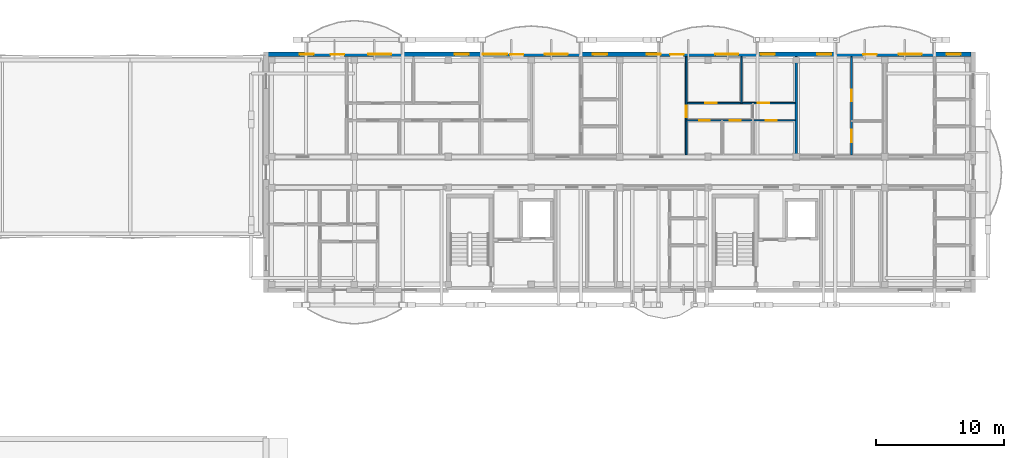
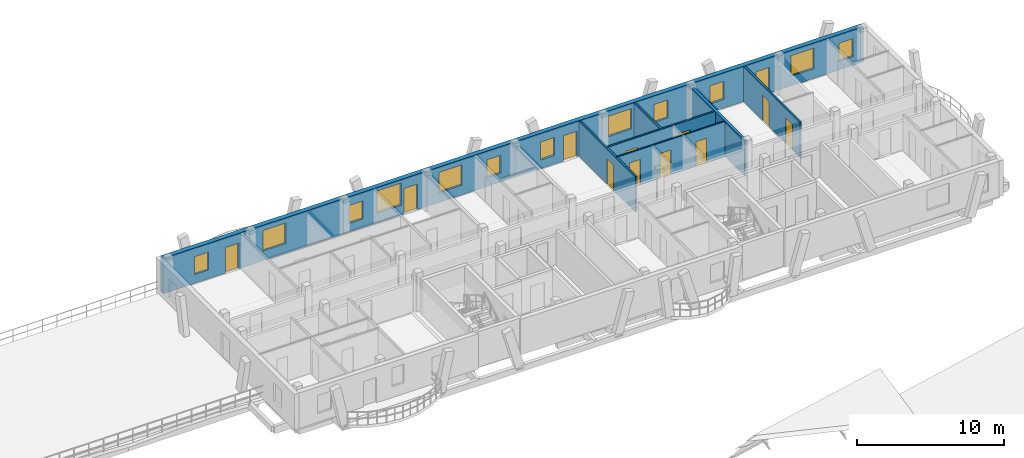
# One storey, part 84 of 109: 12 doors, 12 windows, 7 walls, 24 openings.
"""IFC4 building model written with IfcOpenShell, lengths in metres."""

import ifcopenshell
import ifcopenshell.guid

model = None  # the IFC model being written
_history = None  # IfcOwnerHistory: only IFC2X3 demands one
_inside = {}  # id of a spatial element -> (the spatial element, [elements in it])
_under = {}  # id of a project, library or spatial element -> (it, [spatial elements below it])
_declared = {}  # id of a project -> (the project, [libraries it declares])
_typed = {}  # id of a type object -> (the type object, [elements of that type])
_made_of = {}  # id of a material, layer set ... -> (it, [elements and type objects made of it])


def new_model(schema):
    """Start an empty IFC model of exactly this schema.

    Asked for "IFC4X3", IfcOpenShell would pick the latest addendum, in which some entities
    have other attributes; the version numbers below select the first issue.
    IFC2X3 requires an IfcOwnerHistory on every rooted entity: one is made here for all.
    """
    global model, _history
    if schema == "IFC4X3":
        model = ifcopenshell.file(schema_version=(4, 3, 0, 0))
    else:
        model = ifcopenshell.file(schema=schema)
    _inside.clear()
    _under.clear()
    _declared.clear()
    _typed.clear()
    _made_of.clear()
    _history = None
    if model.schema == "IFC2X3":
        org = make("IfcOrganization", Name="unknown")
        user = make(
            "IfcPersonAndOrganization",
            ThePerson=make("IfcPerson", FamilyName="unknown"),
            TheOrganization=org,
        )
        app = make(
            "IfcApplication",
            ApplicationDeveloper=org,
            Version="unknown",
            ApplicationFullName="unknown",
            ApplicationIdentifier="unknown",
        )
        _history = make(
            "IfcOwnerHistory",
            OwningUser=user,
            OwningApplication=app,
            ChangeAction="ADDED",
            CreationDate=0,
        )
    return model


def make(cls, **values):
    """One entity of the class cls with the attributes given. An attribute that is None is left unset."""
    return model.create_entity(
        cls, **{name: value for name, value in values.items() if value is not None}
    )


def rooted(cls, **values):
    """An entity with a GlobalId (a new one), such as an element, a storey or a relation."""
    return make(cls, GlobalId=ifcopenshell.guid.new(), OwnerHistory=_history, **values)


def si_unit(unit_type, name, prefix=None):
    """IfcSIUnit, for example si_unit("LENGTHUNIT", "METRE", prefix="MILLI")."""
    return make("IfcSIUnit", UnitType=unit_type, Prefix=prefix, Name=name)


def assignment(units):
    """IfcUnitAssignment: the units of a project."""
    return None if units is None else make("IfcUnitAssignment", Units=units)


def point(xyz):
    """IfcCartesianPoint."""
    return None if xyz is None else make("IfcCartesianPoint", Coordinates=xyz)


def direction(xyz):
    """IfcDirection."""
    return None if xyz is None else make("IfcDirection", DirectionRatios=xyz)


def frame(location, z_axis=None, x_axis=None):
    """IfcAxis2Placement3D, a coordinate frame: its origin and axes. An axis left out is left unset."""
    return make(
        "IfcAxis2Placement3D",
        Location=point(location),
        Axis=direction(z_axis),
        RefDirection=direction(x_axis),
    )


def frame_2d(location, x_axis=None):
    """IfcAxis2Placement2D, a coordinate frame in the plane: its origin and x axis."""
    return make(
        "IfcAxis2Placement2D", Location=point(location), RefDirection=direction(x_axis)
    )


def origin():
    """The frame at (0, 0, 0) with its axes left unset."""
    return frame((0.0, 0.0, 0.0))


def origin_with_axes():
    """The frame at (0, 0, 0) with the z axis (0, 0, 1) and the x axis (1, 0, 0) written out."""
    return frame((0.0, 0.0, 0.0), z_axis=(0.0, 0.0, 1.0), x_axis=(1.0, 0.0, 0.0))


def place(relative_to, where):
    """IfcLocalPlacement: puts the frame where relative to a parent placement (None: the world)."""
    return make(
        "IfcLocalPlacement", PlacementRelTo=relative_to, RelativePlacement=where
    )


def context(
    kind, dimensions, precision=None, world=None, true_north=None, identifier=None
):
    """IfcGeometricRepresentationContext, for example the 3D "Model" context."""
    return make(
        "IfcGeometricRepresentationContext",
        ContextIdentifier=identifier,
        ContextType=kind,
        CoordinateSpaceDimension=dimensions,
        Precision=precision,
        WorldCoordinateSystem=world,
        TrueNorth=true_north,
    )


def subcontext(parent, identifier, kind, view, scale=None):
    """IfcGeometricRepresentationSubContext, for example "Body" below "Model"."""
    return make(
        "IfcGeometricRepresentationSubContext",
        ContextIdentifier=identifier,
        ContextType=kind,
        ParentContext=parent,
        TargetScale=scale,
        TargetView=view,
    )


def project(units=None, contexts=None):
    """IfcProject with its units and contexts."""
    return rooted(
        "IfcProject",
        Name="project",
        RepresentationContexts=contexts,
        UnitsInContext=assignment(units),
    )


def spatial(cls, under=None, at=None, **own):
    """A site, building, storey or space (cls), placed at a placement, below another one or the project."""
    s = rooted(cls, ObjectPlacement=at, **own)
    if under is not None:
        _under.setdefault(under.id(), (under, []))[1].append(s)
    return s


def profile(cls, at=None, kind="AREA", **sizes):
    """A parametric profile (cls). Its sizes go by their IFC names, for example OverallWidth=200.0."""
    return make(cls, ProfileType=kind, Position=at, **sizes)


def rectangle(**sizes):
    """IfcRectangleProfileDef."""
    return profile("IfcRectangleProfileDef", **sizes)


def extrude(swept, where, along, depth):
    """IfcExtrudedAreaSolid: the profile swept, set in the frame where, extruded along a direction by depth."""
    return make(
        "IfcExtrudedAreaSolid",
        SweptArea=swept,
        Position=where,
        ExtrudedDirection=direction(along),
        Depth=depth,
    )


def shape(context_of_items, identifier, shape_type, items):
    """IfcShapeRepresentation: the items that make up one representation, for example the "Body"."""
    return make(
        "IfcShapeRepresentation",
        ContextOfItems=context_of_items,
        RepresentationIdentifier=identifier,
        RepresentationType=shape_type,
        Items=items,
    )


def material(Name=None, Category=None):
    """IfcMaterial."""
    return make("IfcMaterial", Name=Name, Category=Category)


def layer(
    of_material, thickness, ventilated=None, Name=None, Category=None, Priority=None
):
    """IfcMaterialLayer: one layer of a wall or slab, of a material (None: an air gap)."""
    return make(
        "IfcMaterialLayer",
        Material=of_material,
        LayerThickness=thickness,
        IsVentilated=ventilated,
        Name=Name,
        Category=Category,
        Priority=Priority,
    )


def layer_set(layers, Name=None):
    """IfcMaterialLayerSet."""
    return make("IfcMaterialLayerSet", MaterialLayers=layers, LayerSetName=Name)


def made_of(thing, what):
    """Note that an element or type object is made of a material, layer set ...; save() writes the relation."""
    if what is not None:
        _made_of.setdefault(what.id(), (what, []))[1].append(thing)
    return thing


def type_object(cls, material=None, **own):
    """A type object (cls), such as IfcWallType, which elements share."""
    return made_of(rooted(cls, **own), material)


def element(
    cls,
    number,
    at=None,
    inside=None,
    cuts=None,
    type_object=None,
    material=None,
    context=None,
    identifier="Body",
    shape_type=None,
    held_by="IfcProductDefinitionShape",
    body=None,
    shapes=None,
    **own,
):
    """One element of the class cls, such as IfcWall. Its Tag is "e" and its number.

    at: its placement. inside: the storey or other place that contains it. cuts: it is an
    opening in that element (IfcRelVoidsElement). A single representation is given by context,
    identifier, shape_type and body (its items); several are given by shapes. held_by: the class
    of the entity that holds the representations. save() writes the other relations.
    """
    e = rooted(cls, Tag="e%d" % number, ObjectPlacement=at, **own)
    if body is not None:
        shapes = [shape(context, identifier, shape_type, body)]
    if shapes is not None:
        e.Representation = make(held_by, Representations=shapes)
    if inside is not None:
        _inside.setdefault(inside.id(), (inside, []))[1].append(e)
    if cuts is not None:
        rooted(
            "IfcRelVoidsElement", RelatingBuildingElement=cuts, RelatedOpeningElement=e
        )
    if type_object is not None:
        _typed.setdefault(type_object.id(), (type_object, []))[1].append(e)
    return made_of(e, material)


def fill(opening, filler):
    """IfcRelFillsElement: the door or window that sits in an opening."""
    return rooted(
        "IfcRelFillsElement",
        RelatingOpeningElement=opening,
        RelatedBuildingElement=filler,
    )


def aggregate(whole, parts):
    """IfcRelAggregates: a whole, such as a stair, and the parts it consists of."""
    return rooted("IfcRelAggregates", RelatingObject=whole, RelatedObjects=parts)


def save(model, path):
    """Write the relations noted so far, then the file.

    IfcRelAggregates (storeys below a building ...), IfcRelContainedInSpatialStructure (elements
    in a storey), IfcRelDefinesByType, IfcRelAssociatesMaterial and IfcRelDeclares: one each for
    every whole, place, type object, material and project.
    """
    for whole, parts in _under.values():
        aggregate(whole, parts)
    for where, things in _inside.values():
        rooted(
            "IfcRelContainedInSpatialStructure",
            RelatedElements=things,
            RelatingStructure=where,
        )
    for kind, things in _typed.values():
        rooted("IfcRelDefinesByType", RelatedObjects=things, RelatingType=kind)
    for what, things in _made_of.values():
        rooted("IfcRelAssociatesMaterial", RelatedObjects=things, RelatingMaterial=what)
    for by, libraries in _declared.values():
        rooted("IfcRelDeclares", RelatingContext=by, RelatedDefinitions=libraries)
    model.write(path)


model = new_model("IFC4")

# Units and contexts
model_context = context("Model", 3, precision=1e-05, world=origin(), true_north=direction((0.0, 1.0)))
body_context = subcontext(model_context, "Body", "Model", "MODEL_VIEW")
ifc_project = project(units=[si_unit("LENGTHUNIT", "METRE"), si_unit("AREAUNIT", "SQUARE_METRE"), si_unit("VOLUMEUNIT", "CUBIC_METRE"), si_unit("PLANEANGLEUNIT", "RADIAN"), si_unit("MASSUNIT", "GRAM", prefix="KILO")], contexts=[model_context])

# Site, building, storey
site_placement = place(None, origin())
site = spatial("IfcSite", under=ifc_project, at=site_placement, CompositionType="ELEMENT")
building_placement = place(site_placement, origin())
building = spatial("IfcBuilding", under=site, at=building_placement, Name="Zavelmont Quarter", CompositionType="ELEMENT")
storey_placement = place(building_placement, frame((0.0, 0.0, 8.0)))
storey = spatial("IfcBuildingStorey", under=building, at=storey_placement, Name="L02", CompositionType="ELEMENT", Elevation=8.0)

# Wall, openings, doors, windows
ifc_material_1 = material(Name="Natural Belgian limestone", Category="masonry")
ifc_layer_1 = layer(ifc_material_1, 0.360107421875)
ifc_layer_set_1 = layer_set([ifc_layer_1], Name="Natural Belgian limestone")
wall_type_1 = type_object("IfcWallType", Name="EW02", PredefinedType="STANDARD", material=ifc_layer_set_1)
wall_1_placement = place(storey_placement, frame((112.969970703125, 116.0, 0.0), z_axis=(0.0, 0.0, 1.0), x_axis=(1.0, 0.0, 0.0)))
wall_1 = element("IfcWall", 1, at=wall_1_placement, inside=storey, type_object=wall_type_1, Name="L02 exterior limestone wall EW02", PredefinedType="STANDARD", context=body_context, shape_type="SweptSolid", body=[
    extrude(rectangle(XDim=54.860107421875, YDim=0.360107421875, at=frame_2d((27.43017578125, 0.0))), origin(), (0.0, 0.0, 1.0), 2.93994140625),
])
opening_1_placement = place(wall_1_placement, frame((4.8759765625, 0.0, 0.0)))
opening_1 = element("IfcOpeningElement", 2, at=opening_1_placement, cuts=wall_1, Name="Opening DR04A", PredefinedType="OPENING", context=body_context, shape_type="SweptSolid", body=[
    extrude(rectangle(XDim=1.050048828125, YDim=2.1201171875, at=frame_2d((0.52490234375, 1.06005859375))), frame((0.0, 0.19189453125, 0.0), z_axis=(0.0, -1.0, 0.0), x_axis=(1.0, 0.0, 0.0)), (0.0, 0.0, 1.0), 0.384033203125),
])
opening_2_placement = place(wall_1_placement, frame((18.879150390625, 0.0, 0.0)))
opening_2 = element("IfcOpeningElement", 3, at=opening_2_placement, cuts=wall_1, Name="Opening DR04A", PredefinedType="OPENING", context=body_context, shape_type="SweptSolid", body=[
    extrude(rectangle(XDim=1.050048828125, YDim=2.1201171875, at=frame_2d((0.52490234375, 1.06005859375))), frame((0.0, 0.19189453125, 0.0), z_axis=(0.0, -1.0, 0.0), x_axis=(1.0, 0.0, 0.0)), (0.0, 0.0, 1.0), 0.384033203125),
])
opening_3_placement = place(wall_1_placement, frame((31.379150390625, 0.0, 0.0)))
opening_3 = element("IfcOpeningElement", 4, at=opening_3_placement, cuts=wall_1, Name="Opening DR04A", PredefinedType="OPENING", context=body_context, shape_type="SweptSolid", body=[
    extrude(rectangle(XDim=1.050048828125, YDim=2.1201171875, at=frame_2d((0.52490234375, 1.06005859375))), frame((0.0, 0.19189453125, 0.0), z_axis=(0.0, -1.0, 0.0), x_axis=(1.0, 0.0, 0.0)), (0.0, 0.0, 1.0), 0.384033203125),
])
opening_4_placement = place(wall_1_placement, frame((46.449951171875, 0.0, 0.0)))
opening_4 = element("IfcOpeningElement", 5, at=opening_4_placement, cuts=wall_1, Name="Opening DR04A", PredefinedType="OPENING", context=body_context, shape_type="SweptSolid", body=[
    extrude(rectangle(XDim=1.050048828125, YDim=2.1201171875, at=frame_2d((0.52490234375, 1.06005859375))), frame((0.0, 0.19189453125, 0.0), z_axis=(0.0, -1.0, 0.0), x_axis=(1.0, 0.0, 0.0)), (0.0, 0.0, 1.0), 0.384033203125),
])
opening_5_placement = place(wall_1_placement, frame((2.449951171875, 0.0, 0.719970703125)))
opening_5 = element("IfcOpeningElement", 6, at=opening_5_placement, cuts=wall_1, Name="Opening WN09", PredefinedType="OPENING", context=body_context, shape_type="SweptSolid", body=[
    extrude(rectangle(XDim=1.10009765625, YDim=1.5, at=frame_2d((0.550048828125, 0.75))), frame((0.0, 0.19189453125, 0.0), z_axis=(0.0, -1.0, 0.0), x_axis=(1.0, 0.0, 0.0)), (0.0, 0.0, 1.0), 0.384033203125),
])
opening_6_placement = place(wall_1_placement, frame((7.800048828125, 0.0, 0.800048828125)))
opening_6 = element("IfcOpeningElement", 7, at=opening_6_placement, cuts=wall_1, Name="Opening WN02", PredefinedType="OPENING", context=body_context, shape_type="SweptSolid", body=[
    extrude(rectangle(XDim=1.800048828125, YDim=1.699951171875, at=frame_2d((0.89990234375, 0.85009765625))), frame((0.0, 0.19189453125, 0.0), z_axis=(0.0, -1.0, 0.0), x_axis=(1.0, 0.0, 0.0)), (0.0, 0.0, 1.0), 0.384033203125),
])
opening_7_placement = place(wall_1_placement, frame((14.550048828125, 0.0, 0.719970703125)))
opening_7 = element("IfcOpeningElement", 8, at=opening_7_placement, cuts=wall_1, Name="Opening WN09", PredefinedType="OPENING", context=body_context, shape_type="SweptSolid", body=[
    extrude(rectangle(XDim=1.10009765625, YDim=1.5, at=frame_2d((0.550048828125, 0.75))), frame((0.0, 0.19189453125, 0.0), z_axis=(0.0, -1.0, 0.0), x_axis=(1.0, 0.0, 0.0)), (0.0, 0.0, 1.0), 0.384033203125),
])
opening_8_placement = place(wall_1_placement, frame((16.75, 0.0, 0.800048828125)))
opening_8 = element("IfcOpeningElement", 9, at=opening_8_placement, cuts=wall_1, Name="Opening WN20", PredefinedType="OPENING", context=body_context, shape_type="SweptSolid", body=[
    extrude(rectangle(XDim=1.89990234375, YDim=1.85009765625, at=frame_2d((0.949951171875, 0.925048828125))), frame((0.0, 0.19189453125, 0.0), z_axis=(0.0, -1.0, 0.0), x_axis=(1.0, 0.0, 0.0)), (0.0, 0.0, 1.0), 0.384033203125),
])
opening_9_placement = place(wall_1_placement, frame((21.60009765625, 0.0, 0.800048828125)))
opening_9 = element("IfcOpeningElement", 10, at=opening_9_placement, cuts=wall_1, Name="Opening WN02", PredefinedType="OPENING", context=body_context, shape_type="SweptSolid", body=[
    extrude(rectangle(XDim=1.800048828125, YDim=1.699951171875, at=frame_2d((0.89990234375, 0.85009765625))), frame((0.0, 0.19189453125, 0.0), z_axis=(0.0, -1.0, 0.0), x_axis=(1.0, 0.0, 0.0)), (0.0, 0.0, 1.0), 0.384033203125),
])
opening_10_placement = place(wall_1_placement, frame((25.35009765625, 0.0, 0.719970703125)))
opening_10 = element("IfcOpeningElement", 11, at=opening_10_placement, cuts=wall_1, Name="Opening WN09", PredefinedType="OPENING", context=body_context, shape_type="SweptSolid", body=[
    extrude(rectangle(XDim=1.10009765625, YDim=1.5, at=frame_2d((0.550048828125, 0.75))), frame((0.0, 0.19189453125, 0.0), z_axis=(0.0, -1.0, 0.0), x_axis=(1.0, 0.0, 0.0)), (0.0, 0.0, 1.0), 0.384033203125),
])
opening_11_placement = place(wall_1_placement, frame((29.550048828125, 0.0, 0.719970703125)))
opening_11 = element("IfcOpeningElement", 12, at=opening_11_placement, cuts=wall_1, Name="Opening WN09", PredefinedType="OPENING", context=body_context, shape_type="SweptSolid", body=[
    extrude(rectangle(XDim=1.10009765625, YDim=1.5, at=frame_2d((0.550048828125, 0.75))), frame((0.0, 0.19189453125, 0.0), z_axis=(0.0, -1.0, 0.0), x_axis=(1.0, 0.0, 0.0)), (0.0, 0.0, 1.0), 0.384033203125),
])
opening_12_placement = place(wall_1_placement, frame((34.89990234375, 0.0, 0.800048828125)))
opening_12 = element("IfcOpeningElement", 13, at=opening_12_placement, cuts=wall_1, Name="Opening WN02", PredefinedType="OPENING", context=body_context, shape_type="SweptSolid", body=[
    extrude(rectangle(XDim=1.800048828125, YDim=1.699951171875, at=frame_2d((0.89990234375, 0.85009765625))), frame((0.0, 0.19189453125, 0.0), z_axis=(0.0, -1.0, 0.0), x_axis=(1.0, 0.0, 0.0)), (0.0, 0.0, 1.0), 0.384033203125),
])
opening_13_placement = place(wall_1_placement, frame((38.449951171875, 0.0, 0.719970703125)))
opening_13 = element("IfcOpeningElement", 14, at=opening_13_placement, cuts=wall_1, Name="Opening WN09", PredefinedType="OPENING", context=body_context, shape_type="SweptSolid", body=[
    extrude(rectangle(XDim=1.10009765625, YDim=1.5, at=frame_2d((0.550048828125, 0.75))), frame((0.0, 0.19189453125, 0.0), z_axis=(0.0, -1.0, 0.0), x_axis=(1.0, 0.0, 0.0)), (0.0, 0.0, 1.0), 0.384033203125),
])
opening_14_placement = place(wall_1_placement, frame((42.85009765625, 0.0, 0.719970703125)))
opening_14 = element("IfcOpeningElement", 15, at=opening_14_placement, cuts=wall_1, Name="Opening WN09", PredefinedType="OPENING", context=body_context, shape_type="SweptSolid", body=[
    extrude(rectangle(XDim=1.10009765625, YDim=1.5, at=frame_2d((0.550048828125, 0.75))), frame((0.0, 0.19189453125, 0.0), z_axis=(0.0, -1.0, 0.0), x_axis=(1.0, 0.0, 0.0)), (0.0, 0.0, 1.0), 0.384033203125),
])
opening_15_placement = place(wall_1_placement, frame((49.199951171875, 0.0, 0.800048828125)))
opening_15 = element("IfcOpeningElement", 16, at=opening_15_placement, cuts=wall_1, Name="Opening WN02", PredefinedType="OPENING", context=body_context, shape_type="SweptSolid", body=[
    extrude(rectangle(XDim=1.800048828125, YDim=1.699951171875, at=frame_2d((0.89990234375, 0.85009765625))), frame((0.0, 0.19189453125, 0.0), z_axis=(0.0, -1.0, 0.0), x_axis=(1.0, 0.0, 0.0)), (0.0, 0.0, 1.0), 0.384033203125),
])
opening_16_placement = place(wall_1_placement, frame((52.949951171875, 0.0, 0.719970703125)))
opening_16 = element("IfcOpeningElement", 17, at=opening_16_placement, cuts=wall_1, Name="Opening WN09", PredefinedType="OPENING", context=body_context, shape_type="SweptSolid", body=[
    extrude(rectangle(XDim=1.10009765625, YDim=1.5, at=frame_2d((0.550048828125, 0.75))), frame((0.0, 0.19189453125, 0.0), z_axis=(0.0, -1.0, 0.0), x_axis=(1.0, 0.0, 0.0)), (0.0, 0.0, 1.0), 0.384033203125),
])
ifc_material_2 = material(Name="Thermally broken aluminium and double safety glass", Category="aluminium")
door_type_1 = type_object("IfcDoorType", Name="DR04A", OperationType="NOTDEFINED", PredefinedType="DOOR", material=ifc_material_2)
door_1_placement = place(opening_1_placement, frame((1.050048828125, 0.0, 0.0), z_axis=(0.0, 0.0, 1.0), x_axis=(-1.0, 0.0, 0.0)))
door_1 = element("IfcDoor", 18, at=door_1_placement, inside=storey, type_object=door_type_1, Name="Block C L02 glazed balcony door", OperationType="SINGLE_SWING_LEFT", OverallHeight=2.1201171875, OverallWidth=1.050048828125, PredefinedType="DOOR", context=body_context, shape_type="SweptSolid", body=[
    extrude(rectangle(XDim=1.050048828125, YDim=2.1201171875, at=frame_2d((0.52490234375, 1.06005859375))), frame((0.0, 0.02490234375, 0.0), z_axis=(0.0, -1.0, 0.0), x_axis=(1.0, 0.0, 0.0)), (0.0, 0.0, 1.0), 0.050048828125),
])
fill(opening_1, door_1)
door_2_placement = place(opening_2_placement, frame((1.050048828125, 0.0, 0.0), z_axis=(0.0, 0.0, 1.0), x_axis=(-1.0, 0.0, 0.0)))
door_2 = element("IfcDoor", 19, at=door_2_placement, inside=storey, type_object=door_type_1, Name="Block C L02 glazed balcony door", OperationType="SINGLE_SWING_LEFT", OverallHeight=2.1201171875, OverallWidth=1.050048828125, PredefinedType="DOOR", context=body_context, shape_type="SweptSolid", body=[
    extrude(rectangle(XDim=1.050048828125, YDim=2.1201171875, at=frame_2d((0.52490234375, 1.06005859375))), frame((0.0, 0.02490234375, 0.0), z_axis=(0.0, -1.0, 0.0), x_axis=(1.0, 0.0, 0.0)), (0.0, 0.0, 1.0), 0.050048828125),
])
fill(opening_2, door_2)
door_3_placement = place(opening_3_placement, frame((1.050048828125, 0.0, 0.0), z_axis=(0.0, 0.0, 1.0), x_axis=(-1.0, 0.0, 0.0)))
door_3 = element("IfcDoor", 20, at=door_3_placement, inside=storey, type_object=door_type_1, Name="Block C L02 glazed balcony door", OperationType="SINGLE_SWING_LEFT", OverallHeight=2.1201171875, OverallWidth=1.050048828125, PredefinedType="DOOR", context=body_context, shape_type="SweptSolid", body=[
    extrude(rectangle(XDim=1.050048828125, YDim=2.1201171875, at=frame_2d((0.52490234375, 1.06005859375))), frame((0.0, 0.02490234375, 0.0), z_axis=(0.0, -1.0, 0.0), x_axis=(1.0, 0.0, 0.0)), (0.0, 0.0, 1.0), 0.050048828125),
])
fill(opening_3, door_3)
door_4_placement = place(opening_4_placement, frame((1.050048828125, 0.0, 0.0), z_axis=(0.0, 0.0, 1.0), x_axis=(-1.0, 0.0, 0.0)))
door_4 = element("IfcDoor", 21, at=door_4_placement, inside=storey, type_object=door_type_1, Name="Block C L02 glazed balcony door", OperationType="SINGLE_SWING_LEFT", OverallHeight=2.1201171875, OverallWidth=1.050048828125, PredefinedType="DOOR", context=body_context, shape_type="SweptSolid", body=[
    extrude(rectangle(XDim=1.050048828125, YDim=2.1201171875, at=frame_2d((0.52490234375, 1.06005859375))), frame((0.0, 0.02490234375, 0.0), z_axis=(0.0, -1.0, 0.0), x_axis=(1.0, 0.0, 0.0)), (0.0, 0.0, 1.0), 0.050048828125),
])
fill(opening_4, door_4)
ifc_material_3 = material(Name="Double low-E insulated glazing in thermally broken aluminium frame", Category="aluminium")
window_type_1 = type_object("IfcWindowType", Name="WN02", PartitioningType="SINGLE_PANEL", PredefinedType="WINDOW", material=ifc_material_3)
window_1_placement = place(opening_6_placement, origin_with_axes())
window_1 = element("IfcWindow", 22, at=window_1_placement, inside=storey, type_object=window_type_1, Name="L02 window WN02", OverallHeight=1.699951171875, OverallWidth=1.800048828125, PartitioningType="SINGLE_PANEL", PredefinedType="WINDOW", context=body_context, shape_type="SweptSolid", body=[
    extrude(rectangle(XDim=1.800048828125, YDim=1.699951171875, at=frame_2d((0.89990234375, 0.85009765625))), frame((0.0, 0.030029296875, 0.0), z_axis=(0.0, -1.0, 0.0), x_axis=(1.0, 0.0, 0.0)), (0.0, 0.0, 1.0), 0.06005859375),
])
fill(opening_6, window_1)
window_2_placement = place(opening_9_placement, origin_with_axes())
window_2 = element("IfcWindow", 23, at=window_2_placement, inside=storey, type_object=window_type_1, Name="L02 window WN02", OverallHeight=1.699951171875, OverallWidth=1.800048828125, PartitioningType="SINGLE_PANEL", PredefinedType="WINDOW", context=body_context, shape_type="SweptSolid", body=[
    extrude(rectangle(XDim=1.800048828125, YDim=1.699951171875, at=frame_2d((0.89990234375, 0.85009765625))), frame((0.0, 0.030029296875, 0.0), z_axis=(0.0, -1.0, 0.0), x_axis=(1.0, 0.0, 0.0)), (0.0, 0.0, 1.0), 0.06005859375),
])
fill(opening_9, window_2)
window_3_placement = place(opening_12_placement, origin_with_axes())
window_3 = element("IfcWindow", 24, at=window_3_placement, inside=storey, type_object=window_type_1, Name="L02 window WN02", OverallHeight=1.699951171875, OverallWidth=1.800048828125, PartitioningType="SINGLE_PANEL", PredefinedType="WINDOW", context=body_context, shape_type="SweptSolid", body=[
    extrude(rectangle(XDim=1.800048828125, YDim=1.699951171875, at=frame_2d((0.89990234375, 0.85009765625))), frame((0.0, 0.030029296875, 0.0), z_axis=(0.0, -1.0, 0.0), x_axis=(1.0, 0.0, 0.0)), (0.0, 0.0, 1.0), 0.06005859375),
])
fill(opening_12, window_3)
window_4_placement = place(opening_15_placement, origin_with_axes())
window_4 = element("IfcWindow", 25, at=window_4_placement, inside=storey, type_object=window_type_1, Name="L02 window WN02", OverallHeight=1.699951171875, OverallWidth=1.800048828125, PartitioningType="SINGLE_PANEL", PredefinedType="WINDOW", context=body_context, shape_type="SweptSolid", body=[
    extrude(rectangle(XDim=1.800048828125, YDim=1.699951171875, at=frame_2d((0.89990234375, 0.85009765625))), frame((0.0, 0.030029296875, 0.0), z_axis=(0.0, -1.0, 0.0), x_axis=(1.0, 0.0, 0.0)), (0.0, 0.0, 1.0), 0.06005859375),
])
fill(opening_15, window_4)
window_type_2 = type_object("IfcWindowType", Name="WN09", PartitioningType="SINGLE_PANEL", PredefinedType="WINDOW", material=ifc_material_3)
window_5_placement = place(opening_5_placement, origin_with_axes())
window_5 = element("IfcWindow", 26, at=window_5_placement, inside=storey, type_object=window_type_2, Name="L02 window WN09", OverallHeight=1.5, OverallWidth=1.10009765625, PartitioningType="SINGLE_PANEL", PredefinedType="WINDOW", context=body_context, shape_type="SweptSolid", body=[
    extrude(rectangle(XDim=1.10009765625, YDim=1.5, at=frame_2d((0.550048828125, 0.75))), frame((0.0, 0.030029296875, 0.0), z_axis=(0.0, -1.0, 0.0), x_axis=(1.0, 0.0, 0.0)), (0.0, 0.0, 1.0), 0.06005859375),
])
fill(opening_5, window_5)
window_6_placement = place(opening_7_placement, origin_with_axes())
window_6 = element("IfcWindow", 27, at=window_6_placement, inside=storey, type_object=window_type_2, Name="L02 window WN09", OverallHeight=1.5, OverallWidth=1.10009765625, PartitioningType="SINGLE_PANEL", PredefinedType="WINDOW", context=body_context, shape_type="SweptSolid", body=[
    extrude(rectangle(XDim=1.10009765625, YDim=1.5, at=frame_2d((0.550048828125, 0.75))), frame((0.0, 0.030029296875, 0.0), z_axis=(0.0, -1.0, 0.0), x_axis=(1.0, 0.0, 0.0)), (0.0, 0.0, 1.0), 0.06005859375),
])
fill(opening_7, window_6)
window_7_placement = place(opening_10_placement, origin_with_axes())
window_7 = element("IfcWindow", 28, at=window_7_placement, inside=storey, type_object=window_type_2, Name="L02 window WN09", OverallHeight=1.5, OverallWidth=1.10009765625, PartitioningType="SINGLE_PANEL", PredefinedType="WINDOW", context=body_context, shape_type="SweptSolid", body=[
    extrude(rectangle(XDim=1.10009765625, YDim=1.5, at=frame_2d((0.550048828125, 0.75))), frame((0.0, 0.030029296875, 0.0), z_axis=(0.0, -1.0, 0.0), x_axis=(1.0, 0.0, 0.0)), (0.0, 0.0, 1.0), 0.06005859375),
])
fill(opening_10, window_7)
window_8_placement = place(opening_11_placement, origin_with_axes())
window_8 = element("IfcWindow", 29, at=window_8_placement, inside=storey, type_object=window_type_2, Name="L02 window WN09", OverallHeight=1.5, OverallWidth=1.10009765625, PartitioningType="SINGLE_PANEL", PredefinedType="WINDOW", context=body_context, shape_type="SweptSolid", body=[
    extrude(rectangle(XDim=1.10009765625, YDim=1.5, at=frame_2d((0.550048828125, 0.75))), frame((0.0, 0.030029296875, 0.0), z_axis=(0.0, -1.0, 0.0), x_axis=(1.0, 0.0, 0.0)), (0.0, 0.0, 1.0), 0.06005859375),
])
fill(opening_11, window_8)
window_9_placement = place(opening_13_placement, origin_with_axes())
window_9 = element("IfcWindow", 30, at=window_9_placement, inside=storey, type_object=window_type_2, Name="L02 window WN09", OverallHeight=1.5, OverallWidth=1.10009765625, PartitioningType="SINGLE_PANEL", PredefinedType="WINDOW", context=body_context, shape_type="SweptSolid", body=[
    extrude(rectangle(XDim=1.10009765625, YDim=1.5, at=frame_2d((0.550048828125, 0.75))), frame((0.0, 0.030029296875, 0.0), z_axis=(0.0, -1.0, 0.0), x_axis=(1.0, 0.0, 0.0)), (0.0, 0.0, 1.0), 0.06005859375),
])
fill(opening_13, window_9)
window_10_placement = place(opening_14_placement, origin_with_axes())
window_10 = element("IfcWindow", 31, at=window_10_placement, inside=storey, type_object=window_type_2, Name="L02 window WN09", OverallHeight=1.5, OverallWidth=1.10009765625, PartitioningType="SINGLE_PANEL", PredefinedType="WINDOW", context=body_context, shape_type="SweptSolid", body=[
    extrude(rectangle(XDim=1.10009765625, YDim=1.5, at=frame_2d((0.550048828125, 0.75))), frame((0.0, 0.030029296875, 0.0), z_axis=(0.0, -1.0, 0.0), x_axis=(1.0, 0.0, 0.0)), (0.0, 0.0, 1.0), 0.06005859375),
])
fill(opening_14, window_10)
window_11_placement = place(opening_16_placement, origin_with_axes())
window_11 = element("IfcWindow", 32, at=window_11_placement, inside=storey, type_object=window_type_2, Name="L02 window WN09", OverallHeight=1.5, OverallWidth=1.10009765625, PartitioningType="SINGLE_PANEL", PredefinedType="WINDOW", context=body_context, shape_type="SweptSolid", body=[
    extrude(rectangle(XDim=1.10009765625, YDim=1.5, at=frame_2d((0.550048828125, 0.75))), frame((0.0, 0.030029296875, 0.0), z_axis=(0.0, -1.0, 0.0), x_axis=(1.0, 0.0, 0.0)), (0.0, 0.0, 1.0), 0.06005859375),
])
fill(opening_16, window_11)
window_type_3 = type_object("IfcWindowType", Name="WN20", PartitioningType="SINGLE_PANEL", PredefinedType="WINDOW", material=ifc_material_3)
window_12_placement = place(opening_8_placement, origin_with_axes())
window_12 = element("IfcWindow", 33, at=window_12_placement, inside=storey, type_object=window_type_3, Name="L02 window WN20", OverallHeight=1.85009765625, OverallWidth=1.89990234375, PartitioningType="SINGLE_PANEL", PredefinedType="WINDOW", context=body_context, shape_type="SweptSolid", body=[
    extrude(rectangle(XDim=1.89990234375, YDim=1.85009765625, at=frame_2d((0.949951171875, 0.925048828125))), frame((0.0, 0.030029296875, 0.0), z_axis=(0.0, -1.0, 0.0), x_axis=(1.0, 0.0, 0.0)), (0.0, 0.0, 1.0), 0.06005859375),
])
fill(opening_8, window_12)

# Wall
ifc_material_4 = material(Name="Calcium-silicate blockwork and acoustic plaster", Category="masonry")
ifc_layer_2 = layer(ifc_material_4, 0.199951171875)
ifc_layer_set_2 = layer_set([ifc_layer_2], Name="Calcium-silicate blockwork and acoustic plaster")
wall_type_2 = type_object("IfcWallType", Name="IW01", PredefinedType="PARTITIONING", material=ifc_layer_set_2)
wall_2_placement = place(storey_placement, frame((154.199951171875, 108.14990234375, 0.0), z_axis=(0.0, 0.0, 1.0), x_axis=(0.0, 1.0, 0.0)))
element("IfcWall", 34, at=wall_2_placement, inside=storey, type_object=wall_type_2, Name="L02 Inter-dwelling compartment wall IW01", PredefinedType="PARTITIONING", context=body_context, shape_type="SweptSolid", body=[
    extrude(rectangle(XDim=7.7001953125, YDim=0.199951171875, at=frame_2d((3.85009765625, 0.0))), origin(), (0.0, 0.0, 1.0), 2.93994140625),
])

# Wall, opening, door
ifc_material_5 = material(Name="Double gypsum board on acoustic steel stud", Category="steel")
ifc_layer_3 = layer(ifc_material_5, 0.125)
ifc_layer_set_3 = layer_set([ifc_layer_3], Name="Double gypsum board on acoustic steel stud")
wall_type_3 = type_object("IfcWallType", Name="IW03", PredefinedType="PARTITIONING", material=ifc_layer_set_3)
wall_3_placement = place(storey_placement, frame((145.60009765625, 108.14990234375, 0.0), z_axis=(0.0, 0.0, 1.0), x_axis=(0.0, 1.0, 0.0)))
wall_3 = element("IfcWall", 35, at=wall_3_placement, inside=storey, type_object=wall_type_3, Name="L02 Partition IW03", PredefinedType="PARTITIONING", context=body_context, shape_type="SweptSolid", body=[
    extrude(rectangle(XDim=7.650146484375, YDim=0.125, at=frame_2d((3.8251953125, 0.0))), origin(), (0.0, 0.0, 1.0), 2.93994140625),
])
opening_17_placement = place(wall_3_placement, frame((2.949951171875, 0.0, 0.0)))
opening_17 = element("IfcOpeningElement", 36, at=opening_17_placement, cuts=wall_3, Name="Opening DR05", PredefinedType="OPENING", context=body_context, shape_type="SweptSolid", body=[
    extrude(rectangle(XDim=0.89990234375, YDim=2.10009765625, at=frame_2d((0.449951171875, 1.050048828125))), frame((0.0, 0.074462890625, 0.0), z_axis=(0.0, -1.0, 0.0), x_axis=(1.0, 0.0, 0.0)), (0.0, 0.0, 1.0), 0.14892578125),
])
ifc_material_6 = material(Name="Engineered oak flush interior door")
door_type_2 = type_object("IfcDoorType", Name="DR05", OperationType="NOTDEFINED", PredefinedType="DOOR", material=ifc_material_6)
door_5_placement = place(opening_17_placement, frame((0.89990234375, 0.0, 0.0), z_axis=(0.0, 0.0, 1.0), x_axis=(-1.0, 0.0, 0.0)))
door_5 = element("IfcDoor", 37, at=door_5_placement, inside=storey, type_object=door_type_2, Name="L02 door DR05", OperationType="SINGLE_SWING_RIGHT", OverallHeight=2.10009765625, OverallWidth=0.89990234375, PredefinedType="DOOR", context=body_context, shape_type="SweptSolid", body=[
    extrude(rectangle(XDim=0.89990234375, YDim=2.10009765625, at=frame_2d((0.449951171875, 1.050048828125))), frame((0.0, 0.02490234375, 0.0), z_axis=(0.0, -1.0, 0.0), x_axis=(1.0, 0.0, 0.0)), (0.0, 0.0, 1.0), 0.050048828125),
])
fill(opening_17, door_5)

# Wall
wall_4_placement = place(storey_placement, frame((149.89990234375, 112.199951171875, 0.0), z_axis=(0.0, 0.0, 1.0), x_axis=(0.0, 1.0, 0.0)))
element("IfcWall", 38, at=wall_4_placement, inside=storey, type_object=wall_type_3, Name="L02 Partition IW03", PredefinedType="PARTITIONING", context=body_context, shape_type="SweptSolid", body=[
    extrude(rectangle(XDim=3.60009765625, YDim=0.125, at=frame_2d((1.800048828125, 0.0))), origin(), (0.0, 0.0, 1.0), 2.93994140625),
])

# Wall, openings, doors
wall_5_placement = place(storey_placement, frame((145.60009765625, 112.199951171875, 0.0), z_axis=(0.0, 0.0, 1.0), x_axis=(1.0, 0.0, 0.0)))
wall_5 = element("IfcWall", 39, at=wall_5_placement, inside=storey, type_object=wall_type_3, Name="L02 Partition IW03", PredefinedType="PARTITIONING", context=body_context, shape_type="SweptSolid", body=[
    extrude(rectangle(XDim=8.5, YDim=0.125, at=frame_2d((4.25, 0.0))), origin(), (0.0, 0.0, 1.0), 2.93994140625),
])
opening_18_placement = place(wall_5_placement, frame((1.5, 0.0, 0.0)))
opening_18 = element("IfcOpeningElement", 40, at=opening_18_placement, cuts=wall_5, Name="Opening DR05", PredefinedType="OPENING", context=body_context, shape_type="SweptSolid", body=[
    extrude(rectangle(XDim=0.89990234375, YDim=2.10009765625, at=frame_2d((0.449951171875, 1.050048828125))), frame((0.0, 0.074462890625, 0.0), z_axis=(0.0, -1.0, 0.0), x_axis=(1.0, 0.0, 0.0)), (0.0, 0.0, 1.0), 0.14892578125),
])
opening_19_placement = place(wall_5_placement, frame((5.60009765625, 0.0, 0.0)))
opening_19 = element("IfcOpeningElement", 41, at=opening_19_placement, cuts=wall_5, Name="Opening DR05", PredefinedType="OPENING", context=body_context, shape_type="SweptSolid", body=[
    extrude(rectangle(XDim=0.89990234375, YDim=2.10009765625, at=frame_2d((0.449951171875, 1.050048828125))), frame((0.0, 0.074462890625, 0.0), z_axis=(0.0, -1.0, 0.0), x_axis=(1.0, 0.0, 0.0)), (0.0, 0.0, 1.0), 0.14892578125),
])
door_6_placement = place(opening_18_placement, origin_with_axes())
door_6 = element("IfcDoor", 42, at=door_6_placement, inside=storey, type_object=door_type_2, Name="L02 door DR05", OperationType="SINGLE_SWING_LEFT", OverallHeight=2.10009765625, OverallWidth=0.89990234375, PredefinedType="DOOR", context=body_context, shape_type="SweptSolid", body=[
    extrude(rectangle(XDim=0.89990234375, YDim=2.10009765625, at=frame_2d((0.449951171875, 1.050048828125))), frame((0.0, 0.02490234375, 0.0), z_axis=(0.0, -1.0, 0.0), x_axis=(1.0, 0.0, 0.0)), (0.0, 0.0, 1.0), 0.050048828125),
])
fill(opening_18, door_6)
door_7_placement = place(opening_19_placement, frame((0.89990234375, 0.0, 0.0), z_axis=(0.0, 0.0, 1.0), x_axis=(-1.0, 0.0, 0.0)))
door_7 = element("IfcDoor", 43, at=door_7_placement, inside=storey, type_object=door_type_2, Name="L02 door DR05", OperationType="SINGLE_SWING_RIGHT", OverallHeight=2.10009765625, OverallWidth=0.89990234375, PredefinedType="DOOR", context=body_context, shape_type="SweptSolid", body=[
    extrude(rectangle(XDim=0.89990234375, YDim=2.10009765625, at=frame_2d((0.449951171875, 1.050048828125))), frame((0.0, 0.02490234375, 0.0), z_axis=(0.0, -1.0, 0.0), x_axis=(1.0, 0.0, 0.0)), (0.0, 0.0, 1.0), 0.050048828125),
])
fill(opening_19, door_7)

wall_6_placement = place(storey_placement, frame((158.5, 108.14990234375, 0.0), z_axis=(0.0, 0.0, 1.0), x_axis=(0.0, 1.0, 0.0)))
wall_6 = element("IfcWall", 44, at=wall_6_placement, inside=storey, type_object=wall_type_3, Name="L02 Partition IW03", PredefinedType="PARTITIONING", context=body_context, shape_type="SweptSolid", body=[
    extrude(rectangle(XDim=7.650146484375, YDim=0.125, at=frame_2d((3.8251953125, 0.0))), origin(), (0.0, 0.0, 1.0), 2.93994140625),
])
opening_20_placement = place(wall_6_placement, frame((1.0, 0.0, 0.0)))
opening_20 = element("IfcOpeningElement", 45, at=opening_20_placement, cuts=wall_6, Name="Opening DR17", PredefinedType="OPENING", context=body_context, shape_type="SweptSolid", body=[
    extrude(rectangle(XDim=0.949951171875, YDim=2.10009765625, at=frame_2d((0.47509765625, 1.050048828125))), frame((0.0, 0.074462890625, 0.0), z_axis=(0.0, -1.0, 0.0), x_axis=(1.0, 0.0, 0.0)), (0.0, 0.0, 1.0), 0.14892578125),
])
opening_21_placement = place(wall_6_placement, frame((4.199951171875, 0.0, 0.0)))
opening_21 = element("IfcOpeningElement", 46, at=opening_21_placement, cuts=wall_6, Name="Opening DR05", PredefinedType="OPENING", context=body_context, shape_type="SweptSolid", body=[
    extrude(rectangle(XDim=0.89990234375, YDim=2.10009765625, at=frame_2d((0.449951171875, 1.050048828125))), frame((0.0, 0.074462890625, 0.0), z_axis=(0.0, -1.0, 0.0), x_axis=(1.0, 0.0, 0.0)), (0.0, 0.0, 1.0), 0.14892578125),
])
door_8_placement = place(opening_21_placement, origin_with_axes())
door_8 = element("IfcDoor", 47, at=door_8_placement, inside=storey, type_object=door_type_2, Name="L02 door DR05", OperationType="SINGLE_SWING_RIGHT", OverallHeight=2.10009765625, OverallWidth=0.89990234375, PredefinedType="DOOR", context=body_context, shape_type="SweptSolid", body=[
    extrude(rectangle(XDim=0.89990234375, YDim=2.10009765625, at=frame_2d((0.449951171875, 1.050048828125))), frame((0.0, 0.02490234375, 0.0), z_axis=(0.0, -1.0, 0.0), x_axis=(1.0, 0.0, 0.0)), (0.0, 0.0, 1.0), 0.050048828125),
])
fill(opening_21, door_8)
ifc_material_7 = material(Name="Accessible washroom flush door")
door_type_3 = type_object("IfcDoorType", Name="DR17", OperationType="NOTDEFINED", PredefinedType="DOOR", material=ifc_material_7)
door_9_placement = place(opening_20_placement, frame((0.949951171875, 0.0, 0.0), z_axis=(0.0, 0.0, 1.0), x_axis=(-1.0, 0.0, 0.0)))
door_9 = element("IfcDoor", 48, at=door_9_placement, inside=storey, type_object=door_type_3, Name="L02 door DR17", OperationType="SINGLE_SWING_LEFT", OverallHeight=2.10009765625, OverallWidth=0.949951171875, PredefinedType="DOOR", context=body_context, shape_type="SweptSolid", body=[
    extrude(rectangle(XDim=0.949951171875, YDim=2.10009765625, at=frame_2d((0.47509765625, 1.050048828125))), frame((0.0, 0.02490234375, 0.0), z_axis=(0.0, -1.0, 0.0), x_axis=(1.0, 0.0, 0.0)), (0.0, 0.0, 1.0), 0.050048828125),
])
fill(opening_20, door_9)

ifc_material_8 = material(Name="Moisture-resistant gypsum board on steel stud", Category="steel")
ifc_layer_4 = layer(ifc_material_8, 0.10009765625)
ifc_layer_set_4 = layer_set([ifc_layer_4], Name="Moisture-resistant gypsum board on steel stud")
wall_type_4 = type_object("IfcWallType", Name="IW04", PredefinedType="PARTITIONING", material=ifc_layer_set_4)
wall_7_placement = place(storey_placement, frame((145.60009765625, 110.85009765625, 0.0), z_axis=(0.0, 0.0, 1.0), x_axis=(1.0, 0.0, 0.0)))
wall_7 = element("IfcWall", 49, at=wall_7_placement, inside=storey, type_object=wall_type_4, Name="L02 Partition IW04", PredefinedType="PARTITIONING", context=body_context, shape_type="SweptSolid", body=[
    extrude(rectangle(XDim=8.5, YDim=0.10009765625, at=frame_2d((4.25, 0.0))), origin(), (0.0, 0.0, 1.0), 2.93994140625),
])
opening_22_placement = place(wall_7_placement, frame((1.0, 0.0, 0.0)))
opening_22 = element("IfcOpeningElement", 50, at=opening_22_placement, cuts=wall_7, Name="Opening DR16", PredefinedType="OPENING", context=body_context, shape_type="SweptSolid", body=[
    extrude(rectangle(XDim=0.85009765625, YDim=2.10009765625, at=frame_2d((0.425048828125, 1.050048828125))), frame((0.0, 0.06201171875, 0.0), z_axis=(0.0, -1.0, 0.0), x_axis=(1.0, 0.0, 0.0)), (0.0, 0.0, 1.0), 0.1240234375),
])
opening_23_placement = place(wall_7_placement, frame((3.39990234375, 0.0, 0.0)))
opening_23 = element("IfcOpeningElement", 51, at=opening_23_placement, cuts=wall_7, Name="Opening DR06", PredefinedType="OPENING", context=body_context, shape_type="SweptSolid", body=[
    extrude(rectangle(XDim=0.85009765625, YDim=2.050048828125, at=frame_2d((0.425048828125, 1.02490234375))), frame((0.0, 0.06201171875, 0.0), z_axis=(0.0, -1.0, 0.0), x_axis=(1.0, 0.0, 0.0)), (0.0, 0.0, 1.0), 0.1240234375),
])
opening_24_placement = place(wall_7_placement, frame((6.199951171875, 0.0, 0.0)))
opening_24 = element("IfcOpeningElement", 52, at=opening_24_placement, cuts=wall_7, Name="Opening DR06", PredefinedType="OPENING", context=body_context, shape_type="SweptSolid", body=[
    extrude(rectangle(XDim=0.85009765625, YDim=2.050048828125, at=frame_2d((0.425048828125, 1.02490234375))), frame((0.0, 0.06201171875, 0.0), z_axis=(0.0, -1.0, 0.0), x_axis=(1.0, 0.0, 0.0)), (0.0, 0.0, 1.0), 0.1240234375),
])
ifc_material_9 = material(Name="Moisture-resistant painted wet-room door")
door_type_4 = type_object("IfcDoorType", Name="DR06", OperationType="NOTDEFINED", PredefinedType="DOOR", material=ifc_material_9)
door_10_placement = place(opening_23_placement, origin_with_axes())
door_10 = element("IfcDoor", 53, at=door_10_placement, inside=storey, type_object=door_type_4, Name="L02 door DR06", OperationType="SINGLE_SWING_LEFT", OverallHeight=2.050048828125, OverallWidth=0.85009765625, PredefinedType="DOOR", context=body_context, shape_type="SweptSolid", body=[
    extrude(rectangle(XDim=0.85009765625, YDim=2.050048828125, at=frame_2d((0.425048828125, 1.02490234375))), frame((0.0, 0.02490234375, 0.0), z_axis=(0.0, -1.0, 0.0), x_axis=(1.0, 0.0, 0.0)), (0.0, 0.0, 1.0), 0.050048828125),
])
fill(opening_23, door_10)
door_11_placement = place(opening_24_placement, frame((0.85009765625, 0.0, 0.0), z_axis=(0.0, 0.0, 1.0), x_axis=(-1.0, 0.0, 0.0)))
door_11 = element("IfcDoor", 54, at=door_11_placement, inside=storey, type_object=door_type_4, Name="L02 door DR06", OperationType="SINGLE_SWING_RIGHT", OverallHeight=2.050048828125, OverallWidth=0.85009765625, PredefinedType="DOOR", context=body_context, shape_type="SweptSolid", body=[
    extrude(rectangle(XDim=0.85009765625, YDim=2.050048828125, at=frame_2d((0.425048828125, 1.02490234375))), frame((0.0, 0.02490234375, 0.0), z_axis=(0.0, -1.0, 0.0), x_axis=(1.0, 0.0, 0.0)), (0.0, 0.0, 1.0), 0.050048828125),
])
fill(opening_24, door_11)
door_type_5 = type_object("IfcDoorType", Name="DR16", OperationType="NOTDEFINED", PredefinedType="DOOR", material=ifc_material_6)
door_12_placement = place(opening_22_placement, frame((0.85009765625, 0.0, 0.0), z_axis=(0.0, 0.0, 1.0), x_axis=(-1.0, 0.0, 0.0)))
door_12 = element("IfcDoor", 55, at=door_12_placement, inside=storey, type_object=door_type_5, Name="L02 door DR16", OperationType="SINGLE_SWING_RIGHT", OverallHeight=2.10009765625, OverallWidth=0.85009765625, PredefinedType="DOOR", context=body_context, shape_type="SweptSolid", body=[
    extrude(rectangle(XDim=0.85009765625, YDim=2.10009765625, at=frame_2d((0.425048828125, 1.050048828125))), frame((0.0, 0.02490234375, 0.0), z_axis=(0.0, -1.0, 0.0), x_axis=(1.0, 0.0, 0.0)), (0.0, 0.0, 1.0), 0.050048828125),
])
fill(opening_22, door_12)

save(model, "model.ifc")
